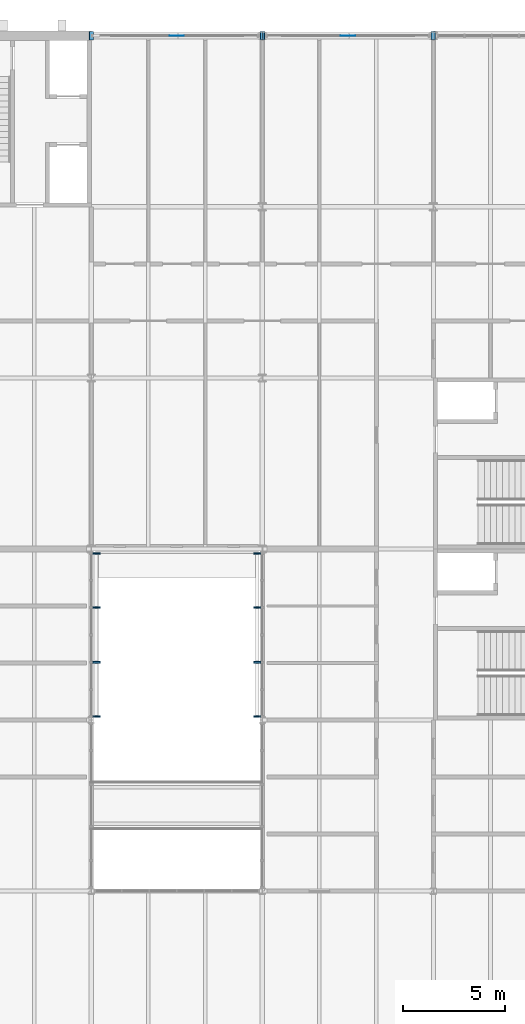
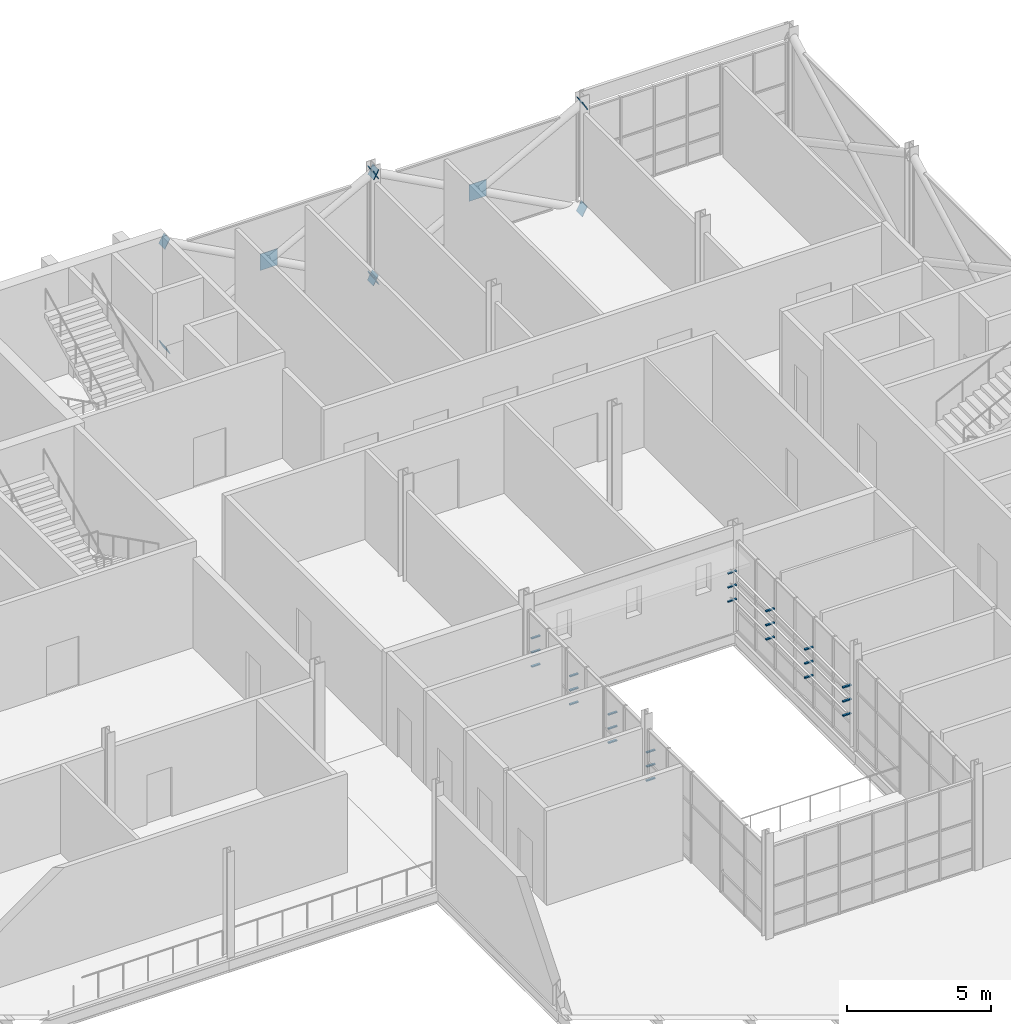
# One storey, part 112 of 129: 34 discrete accessories.
"""IFC4 building model written with IfcOpenShell, lengths in metres."""

from ifc_helpers import new_model, si_unit, direction, frame, origin, origin_2d, place, context, subcontext, project, spatial, rectangle, extrude, material, material_profile, profile_set, type_object, element, save


model = new_model("IFC4")

# Units and contexts
model_context = context("Model", 3, precision=1e-05, world=origin(), true_north=direction((0.0, 1.0)))
body_context = subcontext(model_context, "Body", "Model", "MODEL_VIEW")
ifc_project = project(units=[si_unit("LENGTHUNIT", "METRE"), si_unit("AREAUNIT", "SQUARE_METRE"), si_unit("VOLUMEUNIT", "CUBIC_METRE"), si_unit("PLANEANGLEUNIT", "RADIAN"), si_unit("MASSUNIT", "GRAM", prefix="KILO")], contexts=[model_context])

# Site, building, storey
site_placement = place(None, origin())
site = spatial("IfcSite", under=ifc_project, at=site_placement, CompositionType="ELEMENT")
building_placement = place(site_placement, origin())
building = spatial("IfcBuilding", under=site, at=building_placement, Name="Ardhachandra Cancer Care Centre", CompositionType="ELEMENT")
storey_placement = place(building_placement, frame((0.0, 0.0, 4.5)))
storey = spatial("IfcBuildingStorey", under=building, at=storey_placement, Name="L01", CompositionType="ELEMENT", Elevation=4.5)

# Discrete accessories
ifc_material_1 = material(Name="Steel E250 (IS 2062)", Category="steel")
ifc_material_profile_1 = material_profile(ifc_material_1, rectangle(XDim=0.423828125, YDim=0.423828125, at=origin_2d()), Name="PL 424x424x20")
ifc_profile_set_1 = profile_set([ifc_material_profile_1], Name="Steel E250 (IS 2062)")
discrete_accessory_type_1 = type_object("IfcDiscreteAccessoryType", Name="Brace end plate 424 x 424 x 20", PredefinedType="BRACKET", material=ifc_profile_set_1)
discrete_accessory_1_placement = place(storey_placement, frame((120.0, 105.0, -0.39990234375), z_axis=(0.884384752847, 0.0, 0.466758619558), x_axis=(0.0, 1.0, 0.0)))
element("IfcDiscreteAccessory", 1, at=discrete_accessory_1_placement, inside=storey, type_object=discrete_accessory_type_1, Name="Brace end plate V5-X1050-1200 L01 A0", PredefinedType="BRACKET", context=body_context, shape_type="SweptSolid", body=[
    extrude(rectangle(XDim=0.423828125, YDim=0.423828125, at=origin_2d()), origin(), (0.0, 0.0, 1.0), 0.019775390625),
])
discrete_accessory_2_placement = place(storey_placement, frame((128.39990234375, 105.0, 4.10009765625), z_axis=(-0.879291966537, 0.0, -0.476283148541), x_axis=(0.0, -1.0, 0.0)))
element("IfcDiscreteAccessory", 2, at=discrete_accessory_2_placement, inside=storey, type_object=discrete_accessory_type_1, Name="Brace end plate V5-X1050-1200 L01 A1", PredefinedType="BRACKET", context=body_context, shape_type="SweptSolid", body=[
    extrude(rectangle(XDim=0.423828125, YDim=0.423828125, at=origin_2d()), origin(), (0.0, 0.0, 1.0), 0.02001953125),
])
discrete_accessory_3_placement = place(storey_placement, frame((128.39990234375, 105.0, -0.39990234375), z_axis=(-0.884384752847, 0.0, 0.466758619558), x_axis=(0.0, -1.0, 0.0)))
element("IfcDiscreteAccessory", 3, at=discrete_accessory_3_placement, inside=storey, type_object=discrete_accessory_type_1, Name="Brace end plate V5-X1050-1200 L01 B10", PredefinedType="BRACKET", context=body_context, shape_type="SweptSolid", body=[
    extrude(rectangle(XDim=0.423828125, YDim=0.423828125, at=origin_2d()), origin(), (0.0, 0.0, 1.0), 0.019775390625),
])
for number, where, z_axis, x_axis, name in (
    (4, (120.0, 105.0, 4.10009765625), (0.879291966537, 0.0, -0.476283148541), (0.0, 1.0, 0.0), "Brace end plate V5-X1050-1200 L01 B21"),
    (5, (128.39990234375, 105.0, -0.39990234375), (0.887017774073, 0.0, 0.461735279655), (0.0, 1.0, 0.0), "Brace end plate V5-X1050-1284 L01 A0"),
    (6, (136.800048828125, 105.0, 4.10009765625), (-0.879291966537, 0.0, -0.476283148541), (0.0, -1.0, 0.0), "Brace end plate V5-X1050-1284 L01 A1"),
):
    element("IfcDiscreteAccessory", number, at=place(storey_placement, frame(where, z_axis=z_axis, x_axis=x_axis)), inside=storey, type_object=discrete_accessory_type_1, Name=name, PredefinedType="BRACKET", context=body_context, shape_type="SweptSolid", body=[
        extrude(rectangle(XDim=0.423828125, YDim=0.423828125, at=origin_2d()), origin(), (0.0, 0.0, 1.0), 0.02001953125),
    ])
discrete_accessory_4_placement = place(storey_placement, frame((136.800048828125, 105.0, -0.39990234375), z_axis=(-0.884384752847, 0.0, 0.466758619558), x_axis=(0.0, -1.0, 0.0)))
element("IfcDiscreteAccessory", 7, at=discrete_accessory_4_placement, inside=storey, type_object=discrete_accessory_type_1, Name="Brace end plate V5-X1050-1284 L01 B10", PredefinedType="BRACKET", context=body_context, shape_type="SweptSolid", body=[
    extrude(rectangle(XDim=0.423828125, YDim=0.423828125, at=origin_2d()), origin(), (0.0, 0.0, 1.0), 0.019775390625),
])
discrete_accessory_5_placement = place(storey_placement, frame((128.39990234375, 105.0, 4.10009765625), z_axis=(0.882018256262, 0.0, -0.471215232798), x_axis=(0.0, 1.0, 0.0)))
element("IfcDiscreteAccessory", 8, at=discrete_accessory_5_placement, inside=storey, type_object=discrete_accessory_type_1, Name="Brace end plate V5-X1050-1284 L01 B21", PredefinedType="BRACKET", context=body_context, shape_type="SweptSolid", body=[
    extrude(rectangle(XDim=0.423828125, YDim=0.423828125, at=origin_2d()), origin(), (0.0, 0.0, 1.0), 0.020263671875),
])
ifc_material_2 = material(Name="Steel E250 (IS 2062)", Category="steel")
ifc_material_profile_2 = material_profile(ifc_material_2, rectangle(XDim=0.699951171875, YDim=0.699951171875, at=origin_2d()), Name="PL 700x700x20")
ifc_profile_set_2 = profile_set([ifc_material_profile_2], Name="Steel E250 (IS 2062)")
discrete_accessory_type_2 = type_object("IfcDiscreteAccessoryType", Name="Brace node plate 700 x 700 x 20", PredefinedType="BRACKET", material=ifc_profile_set_2)
for number, where, z_axis, x_axis, name in (
    (9, (124.199951171875, 104.989990234375, 1.85009765625), (0.0, 1.0, 0.0), (-1.0, 0.0, 0.0), "Brace node plate V5-X1050-1200 L01"),
    (10, (132.60009765625, 104.989990234375, 1.85009765625), (0.0, 1.0, 0.0), (-1.0, 0.0, 0.0), "Brace node plate V5-X1050-1284 L01"),
):
    element("IfcDiscreteAccessory", number, at=place(storey_placement, frame(where, z_axis=z_axis, x_axis=x_axis)), inside=storey, type_object=discrete_accessory_type_2, Name=name, PredefinedType="BRACKET", context=body_context, shape_type="SweptSolid", body=[
        extrude(rectangle(XDim=0.699951171875, YDim=0.699951171875, at=origin_2d()), origin(), (0.0, 0.0, 1.0), 0.02001953125),
    ])
ifc_material_3 = material(Name="Galvanised flat steel (Steel E250 (IS 2062))", Category="steel")
discrete_accessory_type_3 = type_object("IfcDiscreteAccessoryType", Name="Louvre bracket 80 x 350", PredefinedType="BRACKET", material=ifc_material_3)
for number, where, z_axis, x_axis, name in (
    (11, (120.2548828125, 71.580078125, 1.38427734375), (0.0, 0.0, 1.0), (0.0, 1.0, 0.0), "Louvre bracket L01/e/0120000_0071400 1.1"),
    (12, (120.2548828125, 74.236572265625, 1.38427734375), (0.0, 0.0, 1.0), (0.0, 1.0, 0.0), "Louvre bracket L01/e/0120000_0071400 1.2"),
    (13, (120.2548828125, 76.92333984375, 1.38427734375), (0.0, 0.0, 1.0), (0.0, 1.0, 0.0), "Louvre bracket L01/e/0120000_0071400 1.3"),
    (14, (120.2548828125, 79.580078125, 1.38427734375), (0.0, 0.0, 1.0), (0.0, 1.0, 0.0), "Louvre bracket L01/e/0120000_0071400 1.4"),
    (15, (120.2548828125, 71.580078125, 1.984375), (0.0, 0.0, 1.0), (0.0, 1.0, 0.0), "Louvre bracket L01/e/0120000_0071400 2.1"),
    (16, (120.2548828125, 74.236572265625, 1.984375), (0.0, 0.0, 1.0), (0.0, 1.0, 0.0), "Louvre bracket L01/e/0120000_0071400 2.2"),
    (17, (120.2548828125, 76.92333984375, 1.984375), (0.0, 0.0, 1.0), (0.0, 1.0, 0.0), "Louvre bracket L01/e/0120000_0071400 2.3"),
    (18, (120.2548828125, 79.580078125, 1.984375), (0.0, 0.0, 1.0), (0.0, 1.0, 0.0), "Louvre bracket L01/e/0120000_0071400 2.4"),
    (19, (120.2548828125, 71.580078125, 2.58447265625), (0.0, 0.0, 1.0), (0.0, 1.0, 0.0), "Louvre bracket L01/e/0120000_0071400 3.1"),
    (20, (120.2548828125, 74.236572265625, 2.58447265625), (0.0, 0.0, 1.0), (0.0, 1.0, 0.0), "Louvre bracket L01/e/0120000_0071400 3.2"),
    (21, (120.2548828125, 76.92333984375, 2.58447265625), (0.0, 0.0, 1.0), (0.0, 1.0, 0.0), "Louvre bracket L01/e/0120000_0071400 3.3"),
    (22, (120.2548828125, 79.580078125, 2.58447265625), (0.0, 0.0, 1.0), (0.0, 1.0, 0.0), "Louvre bracket L01/e/0120000_0071400 3.4"),
    (23, (128.14501953125, 71.580078125, 1.38427734375), (0.0, 0.0, 1.0), (0.0, 1.0, 0.0), "Louvre bracket L01/w/0128400_0071400 1.1"),
    (24, (128.14501953125, 74.236572265625, 1.38427734375), (0.0, 0.0, 1.0), (0.0, 1.0, 0.0), "Louvre bracket L01/w/0128400_0071400 1.2"),
    (25, (128.14501953125, 76.92333984375, 1.38427734375), (0.0, 0.0, 1.0), (0.0, 1.0, 0.0), "Louvre bracket L01/w/0128400_0071400 1.3"),
    (26, (128.14501953125, 79.580078125, 1.38427734375), (0.0, 0.0, 1.0), (0.0, 1.0, 0.0), "Louvre bracket L01/w/0128400_0071400 1.4"),
    (27, (128.14501953125, 71.580078125, 1.984375), (0.0, 0.0, 1.0), (0.0, 1.0, 0.0), "Louvre bracket L01/w/0128400_0071400 2.1"),
    (28, (128.14501953125, 74.236572265625, 1.984375), (0.0, 0.0, 1.0), (0.0, 1.0, 0.0), "Louvre bracket L01/w/0128400_0071400 2.2"),
    (29, (128.14501953125, 76.92333984375, 1.984375), (0.0, 0.0, 1.0), (0.0, 1.0, 0.0), "Louvre bracket L01/w/0128400_0071400 2.3"),
    (30, (128.14501953125, 79.580078125, 1.984375), (0.0, 0.0, 1.0), (0.0, 1.0, 0.0), "Louvre bracket L01/w/0128400_0071400 2.4"),
    (31, (128.14501953125, 71.580078125, 2.58447265625), (0.0, 0.0, 1.0), (0.0, 1.0, 0.0), "Louvre bracket L01/w/0128400_0071400 3.1"),
    (32, (128.14501953125, 74.236572265625, 2.58447265625), (0.0, 0.0, 1.0), (0.0, 1.0, 0.0), "Louvre bracket L01/w/0128400_0071400 3.2"),
    (33, (128.14501953125, 76.92333984375, 2.58447265625), (0.0, 0.0, 1.0), (0.0, 1.0, 0.0), "Louvre bracket L01/w/0128400_0071400 3.3"),
    (34, (128.14501953125, 79.580078125, 2.58447265625), (0.0, 0.0, 1.0), (0.0, 1.0, 0.0), "Louvre bracket L01/w/0128400_0071400 3.4"),
):
    element("IfcDiscreteAccessory", number, at=place(storey_placement, frame(where, z_axis=z_axis, x_axis=x_axis)), inside=storey, type_object=discrete_accessory_type_3, Name=name, PredefinedType="BRACKET", context=body_context, shape_type="SweptSolid", body=[
        extrude(rectangle(XDim=0.080078125, YDim=0.35009765625, at=origin_2d()), origin(), (0.0, 0.0, 1.0), 0.050048828125),
    ])

save(model, "model.ifc")
